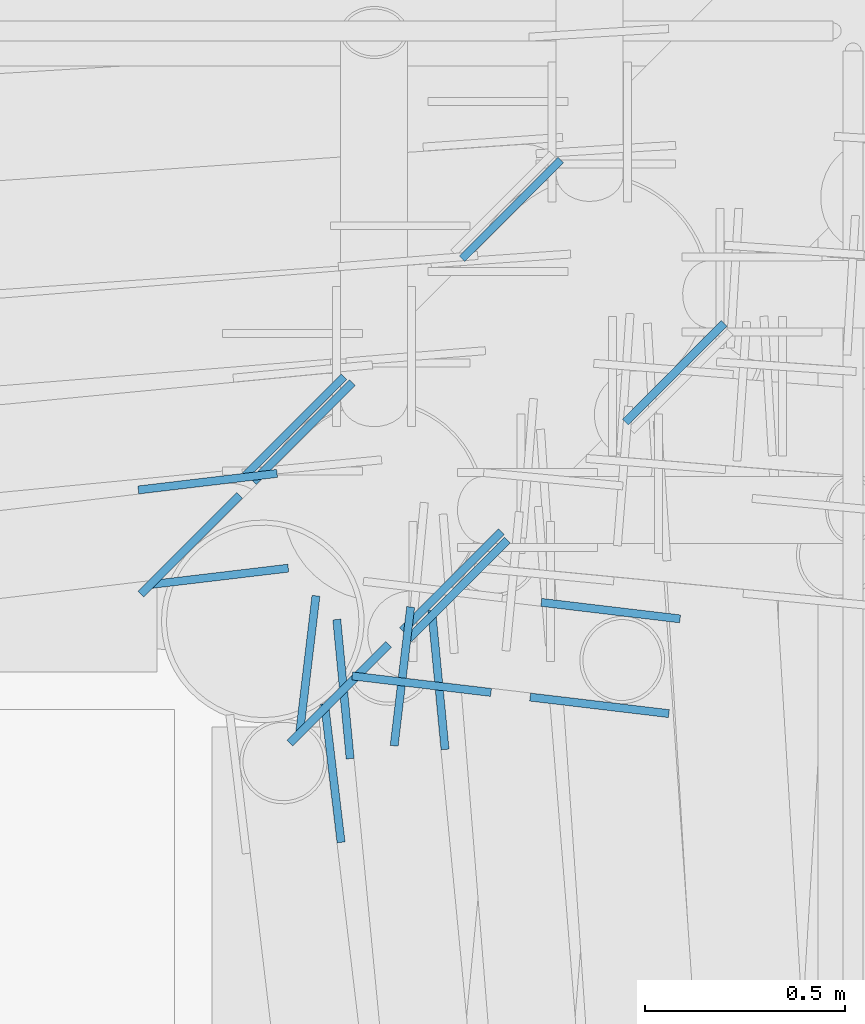
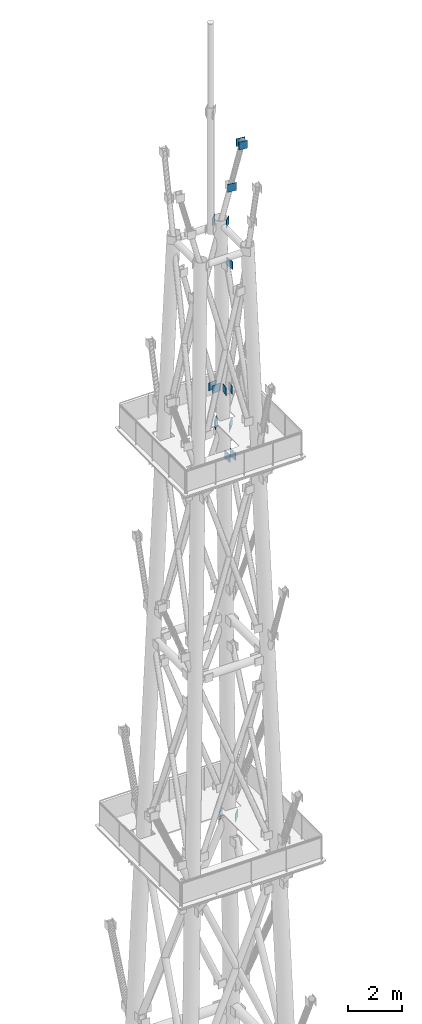
# One storey, part 19 of 25: 18 discrete accessories.
"""IFC4 building model written with IfcOpenShell, lengths in metres."""

from ifc_helpers import new_model, si_unit, direction, frame, origin, origin_2d, place, context, subcontext, project, spatial, rectangle, extrude, element, save


model = new_model("IFC4")

# Units and contexts
model_context = context("Model", 3, precision=1e-05, world=origin(), true_north=direction((0.0, 1.0)))
body_context = subcontext(model_context, "Body", "Model", "MODEL_VIEW")
ifc_project = project(units=[si_unit("LENGTHUNIT", "METRE"), si_unit("AREAUNIT", "SQUARE_METRE"), si_unit("VOLUMEUNIT", "CUBIC_METRE"), si_unit("PLANEANGLEUNIT", "RADIAN"), si_unit("MASSUNIT", "GRAM", prefix="KILO")], contexts=[model_context])

# Site, building, storey
site_placement = place(None, origin())
site = spatial("IfcSite", under=ifc_project, at=site_placement, CompositionType="ELEMENT")
building_placement = place(site_placement, origin())
building = spatial("IfcBuilding", under=site, at=building_placement, Name="Vidyagriha Tower", CompositionType="ELEMENT")
storey_placement = place(building_placement, frame((0.0, 0.0, 318.39990234375)))
storey = spatial("IfcBuildingStorey", under=building, at=storey_placement, Name="RF", CompositionType="ELEMENT", Elevation=318.39990234375)

# Discrete accessories
for number, where, z_axis, x_axis, name in (
    (1, (2.02294921875, 14.613525390625, 22.5498046875), (0.0, 0.0, 1.0), (-0.707106781187, -0.707106781187, 0.0), "End plate ASTM A572 Grade 50 20mm"),
    (2, (1.613525390625, 15.02294921875, 22.5498046875), (0.0, 0.0, 1.0), (-0.707106781187, -0.707106781187, 0.0), "End plate ASTM A572 Grade 50 20mm"),
    (3, (1.47998046875, 14.070556640625, 40.650146484375), (0.0, 0.0, 1.0), (-0.707106781187, -0.707106781187, 0.0), "End plate ASTM A572 Grade 50 20mm"),
    (4, (1.070556640625, 14.47998046875, 40.650146484375), (0.0, 0.0, 1.0), (-0.707106781187, -0.707106781187, 0.0), "End plate ASTM A572 Grade 50 20mm"),
    (5, (1.46484375, 14.091552734375, 40.5498046875), (0.0, 0.0, 1.0), (-0.707106781187, -0.707106781187, 0.0), "End plate ASTM A572 Grade 50 20mm"),
    (6, (1.091552734375, 14.46484375, 40.5498046875), (0.0, 0.0, 1.0), (-0.707106781187, -0.707106781187, 0.0), "End plate ASTM A572 Grade 50 20mm"),
    (7, (1.182861328125, 13.8095703125, 49.9501953125), (0.0, 0.0, 1.0), (-0.707106781187, -0.707106781187, 0.0), "End plate ASTM A572 Grade 50 20mm"),
    (8, (0.8095703125, 14.182861328125, 49.9501953125), (0.0, 0.0, 1.0), (-0.707106781187, -0.707106781187, 0.0), "End plate ASTM A572 Grade 50 20mm"),
    (9, (1.193115234375, 13.8212890625, 39.424560546875), (0.0, 0.0, 1.0), (-0.095647699097, 0.995415248857, 0.0), "End plate ASTM A572 Grade 50 20mm"),
    (10, (1.430908203125, 13.84423828125, 39.424560546875), (0.0, 0.0, 1.0), (-0.095647699097, 0.995415248857, 0.0), "End plate ASTM A572 Grade 50 20mm"),
    (11, (1.16650390625, 13.611083984375, 48.227783203125), (0.0, 0.0, 1.0), (-0.118149205805, 0.99299585355, 0.0), "End plate ASTM A572 Grade 50 20mm"),
    (12, (1.103515625, 13.881103515625, 42.42236328125), (0.0, 0.0, 1.0), (0.118116276751, 0.99299977098, 0.0), "End plate ASTM A572 Grade 50 20mm"),
    (13, (1.3408203125, 13.85302734375, 42.42236328125), (0.0, 0.0, 1.0), (0.118116276751, 0.99299977098, 0.0), "End plate ASTM A572 Grade 50 20mm"),
    (14, (0.85302734375, 14.3408203125, 42.42236328125), (0.0, 0.0, 1.0), (0.99299585355, 0.118149205805, 0.0), "End plate ASTM A572 Grade 50 20mm"),
    (15, (0.881103515625, 14.103515625, 42.42236328125), (0.0, 0.0, 1.0), (0.99299585355, 0.118149205805, 0.0), "End plate ASTM A572 Grade 50 20mm"),
    (16, (1.388916015625, 13.83349609375, 51.42236328125), (0.0, 0.0, 1.0), (-0.992996678363, 0.118142273384, 0.0), "End plate ASTM A572 Grade 50 20mm"),
    (17, (1.862548828125, 14.017822265625, 53.189453125), (0.0, 0.0, 1.0), (0.992996678363, -0.118142273384, 0.0), "End plate ASTM A572 Grade 50 20mm"),
    (18, (1.83447265625, 13.780517578125, 53.189453125), (0.0, 0.0, 1.0), (0.992996678363, -0.118142273384, 0.0), "End plate ASTM A572 Grade 50 20mm"),
):
    element("IfcDiscreteAccessory", number, at=place(storey_placement, frame(where, z_axis=z_axis, x_axis=x_axis)), inside=storey, Name=name, ObjectType="END PLATE", PredefinedType="USERDEFINED", context=body_context, shape_type="SweptSolid", body=[
        extrude(rectangle(XDim=0.35009765625, YDim=0.02001953125, at=origin_2d()), origin(), (0.0, 0.0, 1.0), 0.35009765625),
    ])

save(model, "model.ifc")
